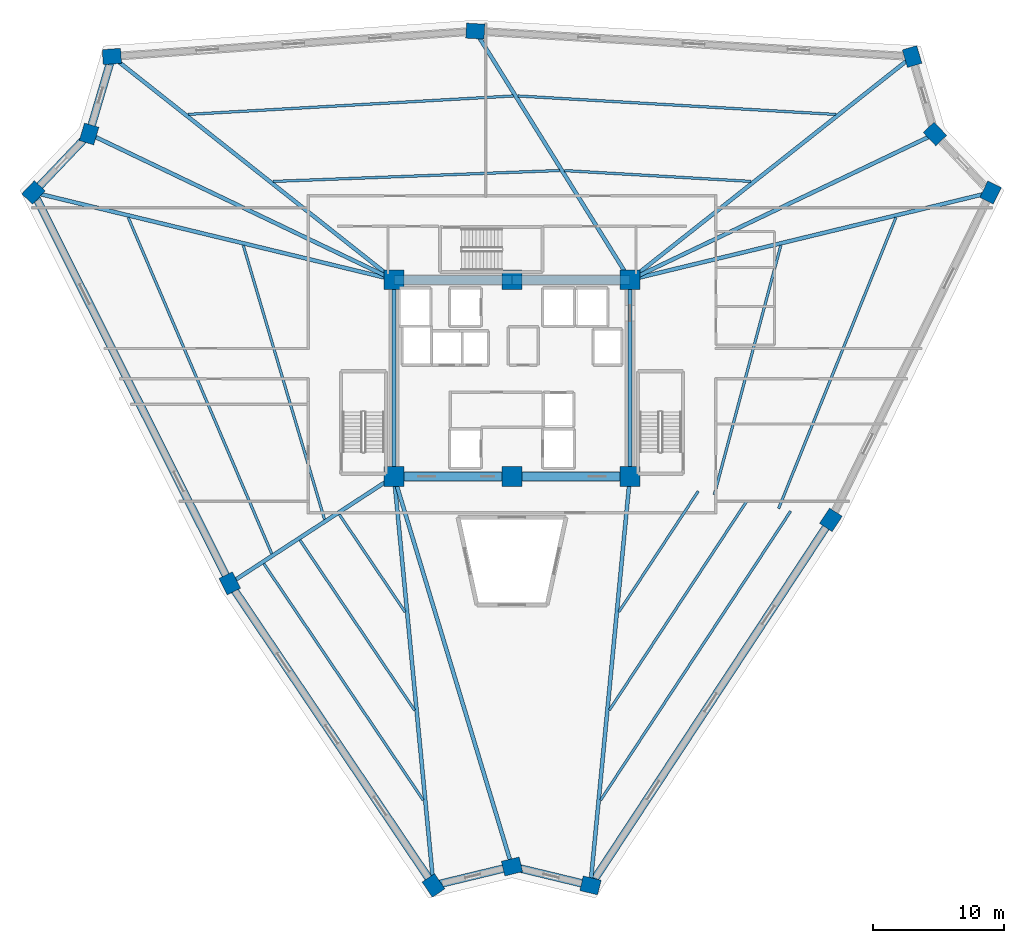
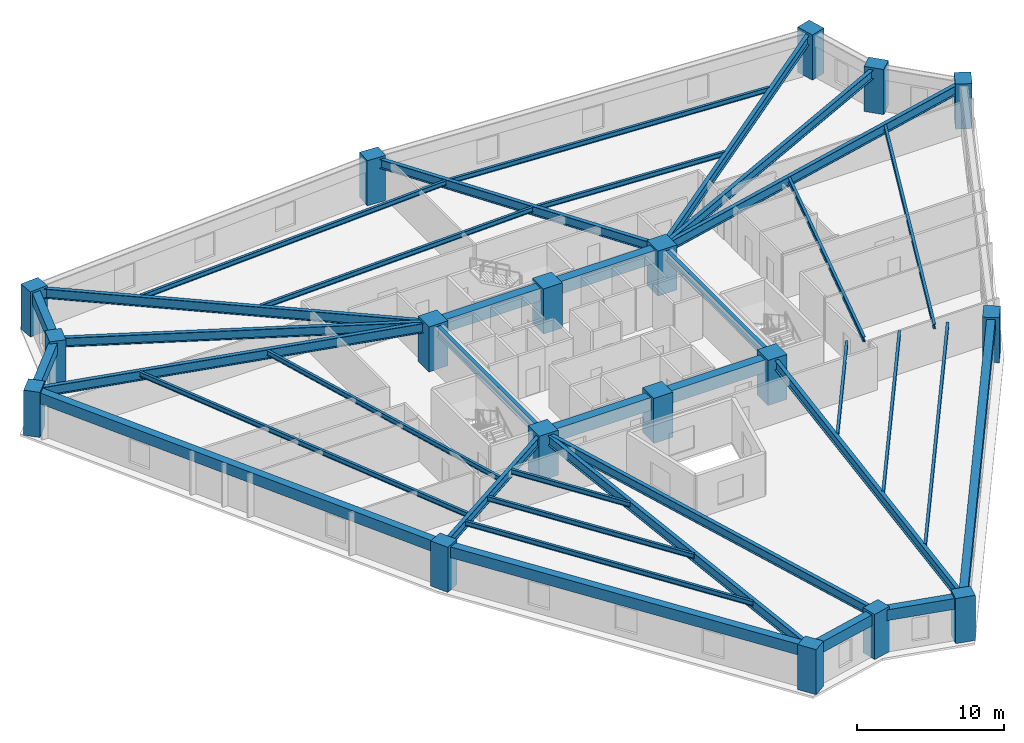
# One storey, part 1 of 7: 38 beams, 18 columns.
"""IFC4 building model written with IfcOpenShell, lengths in metres."""

from ifc_helpers import new_model, si_unit, direction, frame, origin, origin_2d, place, context, subcontext, project, spatial, rectangle, i_section, extrude, source, transform, mapped, material, material_profile, profile_set, type_object, element, save


model = new_model("IFC4")

# Units and contexts
model_context = context("Model", 3, precision=1e-05, world=origin(), true_north=direction((0.0, 1.0)))
body_context = subcontext(model_context, "Body", "Model", "MODEL_VIEW")
ifc_project = project(units=[si_unit("LENGTHUNIT", "METRE"), si_unit("AREAUNIT", "SQUARE_METRE"), si_unit("VOLUMEUNIT", "CUBIC_METRE"), si_unit("PLANEANGLEUNIT", "RADIAN"), si_unit("MASSUNIT", "GRAM", prefix="KILO")], contexts=[model_context])

# Site, building, storey
site_placement = place(None, origin())
site = spatial("IfcSite", under=ifc_project, at=site_placement, CompositionType="ELEMENT")
building_placement = place(site_placement, origin())
building = spatial("IfcBuilding", under=site, at=building_placement, Name="Liaohun Quay Tower", CompositionType="ELEMENT")
storey_placement = place(building_placement, frame((0.0, 0.0, 117.0)))
storey = spatial("IfcBuildingStorey", under=building, at=storey_placement, Name="L30", CompositionType="ELEMENT", Elevation=117.0)

# Columns
ifc_material_1 = material(Name="Concrete C60", Category="concrete")
ifc_material_profile_1 = material_profile(ifc_material_1, rectangle(XDim=1.5, YDim=1.5, at=origin_2d()), Name="RC1500x1500")
ifc_profile_set_1 = profile_set([ifc_material_profile_1], Name="Concrete C60")
column_type_1 = type_object("IfcColumnType", Name="COL-CC-Z2", PredefinedType="COLUMN", material=ifc_profile_set_1)
shared_shape_1 = source(origin(), body_context, "Body", "SweptSolid", [
    extrude(rectangle(XDim=1.5, YDim=1.5, at=origin_2d()), origin(), (0.0, 0.0, 1.0), 3.75),
])
for number, where, z_axis, x_axis, name in (
    (1, (51.0, 46.5, 0.0), (0.0, 0.0, 1.0), (1.0, 0.0, 0.0), "L30 Core Column CC1"),
    (2, (60.0, 46.5, 0.0), (0.0, 0.0, 1.0), (1.0, 0.0, 0.0), "L30 Core Column CC2"),
    (3, (69.0, 46.5, 0.0), (0.0, 0.0, 1.0), (1.0, 0.0, 0.0), "L30 Core Column CC3"),
    (4, (69.0, 61.5, 0.0), (0.0, 0.0, 1.0), (1.0, 0.0, 0.0), "L30 Core Column CC4"),
    (5, (60.0, 61.5, 0.0), (0.0, 0.0, 1.0), (1.0, 0.0, 0.0), "L30 Core Column CC5"),
    (6, (51.0, 61.5, 0.0), (0.0, 0.0, 1.0), (1.0, 0.0, 0.0), "L30 Core Column CC6"),
):
    element("IfcColumn", number, at=place(storey_placement, frame(where, z_axis=z_axis, x_axis=x_axis)), inside=storey, type_object=column_type_1, Name=name, PredefinedType="COLUMN", context=body_context, shape_type="MappedRepresentation", body=[
        mapped(shared_shape_1, transform((0.0, 0.0, 0.0), x_axis=(1.0, 0.0, 0.0), y_axis=(0.0, 1.0, 0.0), z_axis=(0.0, 0.0, 1.0), scale=1.0)),
    ])
ifc_material_profile_2 = material_profile(ifc_material_1, rectangle(XDim=1.39990234375, YDim=1.14990234375, at=origin_2d()), Name="RC1400x1150")
ifc_profile_set_2 = profile_set([ifc_material_profile_2], Name="Concrete C60")
column_type_2 = type_object("IfcColumnType", Name="COL-PIER-Z2", PredefinedType="COLUMN", material=ifc_profile_set_2)
shared_shape_2 = source(origin(), body_context, "Body", "SweptSolid", [
    extrude(rectangle(XDim=1.39990234375, YDim=1.14990234375, at=origin_2d()), origin(), (0.0, 0.0, 1.0), 3.75),
])
for number, where, z_axis, x_axis, name in (
    (7, (54.008056640625, 15.2919921875, 0.0), (0.0, 0.0, 1.0), (-0.559048200602, 0.829135157501, 0.0), "L30 Perimeter Pier PC01"),
    (8, (38.471923828125, 38.3369140625, 0.0), (0.0, 0.0, 1.0), (-0.448851168881, 0.893606528733, 0.0), "L30 Perimeter Pier PC02"),
    (9, (23.487060546875, 68.169921875, 0.0), (0.0, 0.0, 1.0), (0.68936671806, 0.724412539946, 0.0), "L30 Perimeter Pier PC03"),
    (10, (27.73095703125, 72.631103515625, 0.0), (0.0, 0.0, 1.0), (0.282676303383, 0.959215360337, 0.0), "L30 Perimeter Pier PC04"),
    (11, (29.472900390625, 78.54296875, 0.0), (0.0, 0.0, 1.0), (0.997576209867, 0.069582364911, 0.0), "L30 Perimeter Pier PC05"),
    (12, (57.198974609375, 80.47509765625, 0.0), (0.0, 0.0, 1.0), (-0.998311539311, 0.058086749598, 0.0), "L30 Perimeter Pier PC06"),
    (13, (90.529052734375, 78.535888671875, 0.0), (0.0, 0.0, 1.0), (-0.282676303383, 0.959215360337, 0.0), "L30 Perimeter Pier PC07"),
    (14, (92.26904296875, 72.631103515625, 0.0), (0.0, 0.0, 1.0), (-0.68936671806, 0.724412539946, 0.0), "L30 Perimeter Pier PC08"),
    (15, (96.51806640625, 68.1650390625, 0.0), (0.0, 0.0, 1.0), (0.438528009266, 0.898717522412, 0.0), "L30 Perimeter Pier PC09"),
    (16, (84.3291015625, 43.18798828125, 0.0), (0.0, 0.0, 1.0), (0.54946037043, 0.835519779135, 0.0), "L30 Perimeter Pier PC10"),
    (17, (65.985107421875, 15.2939453125, 0.0), (0.0, 0.0, 1.0), (-0.972083987461, 0.234633163303, 0.0), "L30 Perimeter Pier PC11"),
    (18, (60.0, 16.738037109375, 0.0), (0.0, 0.0, 1.0), (0.972083987461, 0.234633163303, 0.0), "L30 Perimeter Pier PC12"),
):
    element("IfcColumn", number, at=place(storey_placement, frame(where, z_axis=z_axis, x_axis=x_axis)), inside=storey, type_object=column_type_2, Name=name, PredefinedType="COLUMN", context=body_context, shape_type="MappedRepresentation", body=[
        mapped(shared_shape_2, transform((0.0, 0.0, 0.0), x_axis=(1.0, 0.0, 0.0), y_axis=(0.0, 1.0, 0.0), z_axis=(0.0, 0.0, 1.0), scale=1.0)),
    ])

# Beams
ifc_material_profile_3 = material_profile(ifc_material_1, rectangle(XDim=0.699951171875, YDim=1.050048828125, at=origin_2d()), Name="RC700x1050")
ifc_profile_set_3 = profile_set([ifc_material_profile_3], Name="Concrete C60")
beam_type_1 = type_object("IfcBeamType", Name="BM-CPL-1", PredefinedType="LINTEL", material=ifc_profile_set_3)
shared_shape_3 = source(origin(), body_context, "Body", "SweptSolid", [
    extrude(rectangle(XDim=0.699951171875, YDim=1.050048828125, at=origin_2d()), origin(), (0.0, 0.0, 1.0), 9.0),
])
for number, where, z_axis, x_axis, name in (
    (19, (51.0, 46.5, 3.044921875), (1.0, 0.0, 0.0), (0.0, 1.0, 0.0), "L30 Core Coupling/Ring Beam CC1-CC2"),
    (20, (60.0, 46.5, 3.044921875), (1.0, 0.0, 0.0), (0.0, 1.0, 0.0), "L30 Core Coupling/Ring Beam CC2-CC3"),
    (21, (69.0, 61.5, 3.044921875), (-1.0, 0.0, 0.0), (0.0, -1.0, 0.0), "L30 Core Coupling/Ring Beam CC4-CC5"),
    (22, (60.0, 61.5, 3.044921875), (-1.0, 0.0, 0.0), (0.0, -1.0, 0.0), "L30 Core Coupling/Ring Beam CC5-CC6"),
):
    element("IfcBeam", number, at=place(storey_placement, frame(where, z_axis=z_axis, x_axis=x_axis)), inside=storey, type_object=beam_type_1, Name=name, PredefinedType="LINTEL", context=body_context, shape_type="MappedRepresentation", body=[
        mapped(shared_shape_3, transform((0.0, 0.0, 0.0), x_axis=(1.0, 0.0, 0.0), y_axis=(0.0, 1.0, 0.0), z_axis=(0.0, 0.0, 1.0), scale=1.0)),
    ])
ifc_material_2 = material(Name="Steel Q355D", Category="steel")
ifc_material_profile_4 = material_profile(ifc_material_2, i_section(OverallWidth=0.300048828125, OverallDepth=0.800048828125, WebThickness=0.013916015625, FlangeThickness=0.02587890625, at=origin_2d()), Name="HN800x300x14x26")
ifc_profile_set_4 = profile_set([ifc_material_profile_4], Name="Steel Q355D")
beam_type_2 = type_object("IfcBeamType", Name="BM-RAD-M1", PredefinedType="BEAM", material=ifc_profile_set_4)
shared_shape_4 = source(origin(), body_context, "Body", "SweptSolid", [
    extrude(i_section(OverallWidth=0.300048828125, OverallDepth=0.800048828125, WebThickness=0.013916015625, FlangeThickness=0.02587890625, at=origin_2d()), origin(), (0.0, 0.0, 1.0), 15.0),
])
for number, where, z_axis, x_axis, name in (
    (23, (69.0, 46.5, 3.169921875), (0.0, 1.0, 0.0), (-1.0, 0.0, 0.0), "L30 Core Coupling/Ring Beam CC3-CC4"),
    (24, (51.0, 61.5, 3.169921875), (0.0, -1.0, 0.0), (1.0, 0.0, 0.0), "L30 Core Coupling/Ring Beam CC6-CC1"),
):
    element("IfcBeam", number, at=place(storey_placement, frame(where, z_axis=z_axis, x_axis=x_axis)), inside=storey, type_object=beam_type_2, Name=name, PredefinedType="BEAM", context=body_context, shape_type="MappedRepresentation", body=[
        mapped(shared_shape_4, transform((0.0, 0.0, 0.0), x_axis=(1.0, 0.0, 0.0), y_axis=(0.0, 1.0, 0.0), z_axis=(0.0, 0.0, 1.0), scale=1.0)),
    ])
shared_shape_5 = source(origin(), body_context, "Body", "SweptSolid", [
    extrude(i_section(OverallWidth=0.300048828125, OverallDepth=0.800048828125, WebThickness=0.013916015625, FlangeThickness=0.02587890625, at=origin_2d()), origin(), (0.0, 0.0, 1.0), 31.3525390625),
])
beam_1_placement = place(storey_placement, frame((51.0, 46.5, 3.169921875), z_axis=(0.095942684726, -0.995386860094, 0.0), x_axis=(0.995386860094, 0.095942684726, 0.0)))
element("IfcBeam", 25, at=beam_1_placement, inside=storey, type_object=beam_type_2, Name="L30 Radial Primary Girder CC1-PC01", PredefinedType="BEAM", context=body_context, shape_type="MappedRepresentation", body=[
    mapped(shared_shape_5, transform((0.0, 0.0, 0.0), x_axis=(1.0, 0.0, 0.0), y_axis=(0.0, 1.0, 0.0), z_axis=(0.0, 0.0, 1.0), scale=1.0)),
])
ifc_material_profile_5 = material_profile(ifc_material_2, i_section(OverallWidth=0.300048828125, OverallDepth=0.75, WebThickness=0.013916015625, FlangeThickness=0.02587890625, at=origin_2d()), Name="HN750x300x14x26")
ifc_profile_set_5 = profile_set([ifc_material_profile_5], Name="Steel Q355D")
beam_type_3 = type_object("IfcBeamType", Name="BM-RAD-M2", PredefinedType="BEAM", material=ifc_profile_set_5)
shared_shape_6 = source(origin(), body_context, "Body", "SweptSolid", [
    extrude(i_section(OverallWidth=0.300048828125, OverallDepth=0.75, WebThickness=0.013916015625, FlangeThickness=0.02587890625, at=origin_2d()), origin(), (0.0, 0.0, 1.0), 14.952880859375),
])
beam_2_placement = place(storey_placement, frame((51.0, 46.5, 3.195068359375), z_axis=(-0.837836920437, -0.545920593817, 0.0), x_axis=(0.545920593817, -0.837836920437, 0.0)))
element("IfcBeam", 26, at=beam_2_placement, inside=storey, type_object=beam_type_3, Name="L30 Radial Primary Girder CC1-PC02", PredefinedType="BEAM", context=body_context, shape_type="MappedRepresentation", body=[
    mapped(shared_shape_6, transform((0.0, 0.0, 0.0), x_axis=(1.0, 0.0, 0.0), y_axis=(0.0, 1.0, 0.0), z_axis=(0.0, 0.0, 1.0), scale=1.0)),
])
shared_shape_7 = source(origin(), body_context, "Body", "SweptSolid", [
    extrude(i_section(OverallWidth=0.300048828125, OverallDepth=0.800048828125, WebThickness=0.013916015625, FlangeThickness=0.02587890625, at=origin_2d()), origin(), (0.0, 0.0, 1.0), 28.309814453125),
])
beam_3_placement = place(storey_placement, frame((51.0, 61.5, 3.169921875), z_axis=(-0.971849148305, 0.235603974796, 0.0), x_axis=(-0.235603974796, -0.971849148305, 0.0)))
element("IfcBeam", 27, at=beam_3_placement, inside=storey, type_object=beam_type_2, Name="L30 Radial Primary Girder CC6-PC03", PredefinedType="BEAM", context=body_context, shape_type="MappedRepresentation", body=[
    mapped(shared_shape_7, transform((0.0, 0.0, 0.0), x_axis=(1.0, 0.0, 0.0), y_axis=(0.0, 1.0, 0.0), z_axis=(0.0, 0.0, 1.0), scale=1.0)),
])
shared_shape_8 = source(origin(), body_context, "Body", "SweptSolid", [
    extrude(i_section(OverallWidth=0.300048828125, OverallDepth=0.75, WebThickness=0.013916015625, FlangeThickness=0.02587890625, at=origin_2d()), origin(), (0.0, 0.0, 1.0), 25.79443359375),
])
for number, where, z_axis, x_axis, name in (
    (28, (51.0, 61.5, 3.195068359375), (-0.902097538332, 0.431532190381, 0.0), (-0.431532190381, -0.902097538332, 0.0), "L30 Radial Primary Girder CC6-PC04"),
    (29, (69.0, 61.5, 3.195068359375), (0.902097538332, 0.431532190381, 0.0), (-0.431532190381, 0.902097538332, 0.0), "L30 Radial Primary Girder CC4-PC08"),
):
    element("IfcBeam", number, at=place(storey_placement, frame(where, z_axis=z_axis, x_axis=x_axis)), inside=storey, type_object=beam_type_3, Name=name, PredefinedType="BEAM", context=body_context, shape_type="MappedRepresentation", body=[
        mapped(shared_shape_8, transform((0.0, 0.0, 0.0), x_axis=(1.0, 0.0, 0.0), y_axis=(0.0, 1.0, 0.0), z_axis=(0.0, 0.0, 1.0), scale=1.0)),
    ])
shared_shape_9 = source(origin(), body_context, "Body", "SweptSolid", [
    extrude(i_section(OverallWidth=0.300048828125, OverallDepth=0.800048828125, WebThickness=0.013916015625, FlangeThickness=0.02587890625, at=origin_2d()), origin(), (0.0, 0.0, 1.0), 27.456787109375),
])
beam_4_placement = place(storey_placement, frame((51.0, 61.5, 3.169921875), z_axis=(-0.784033744003, 0.620718203588, 0.0), x_axis=(-0.620718203588, -0.784033744003, 0.0)))
element("IfcBeam", 30, at=beam_4_placement, inside=storey, type_object=beam_type_2, Name="L30 Radial Primary Girder CC6-PC05", PredefinedType="BEAM", context=body_context, shape_type="MappedRepresentation", body=[
    mapped(shared_shape_9, transform((0.0, 0.0, 0.0), x_axis=(1.0, 0.0, 0.0), y_axis=(0.0, 1.0, 0.0), z_axis=(0.0, 0.0, 1.0), scale=1.0)),
])
shared_shape_10 = source(origin(), body_context, "Body", "SweptSolid", [
    extrude(i_section(OverallWidth=0.300048828125, OverallDepth=0.75, WebThickness=0.013916015625, FlangeThickness=0.02587890625, at=origin_2d()), origin(), (0.0, 0.0, 1.0), 22.345458984375),
])
beam_5_placement = place(storey_placement, frame((69.0, 61.5, 3.195068359375), z_axis=(-0.528117918078, 0.849171045553, 0.0), x_axis=(-0.849171045553, -0.528117918078, 0.0)))
element("IfcBeam", 31, at=beam_5_placement, inside=storey, type_object=beam_type_3, Name="L30 Radial Primary Girder CC4-PC06", PredefinedType="BEAM", context=body_context, shape_type="MappedRepresentation", body=[
    mapped(shared_shape_10, transform((0.0, 0.0, 0.0), x_axis=(1.0, 0.0, 0.0), y_axis=(0.0, 1.0, 0.0), z_axis=(0.0, 0.0, 1.0), scale=1.0)),
])
shared_shape_11 = source(origin(), body_context, "Body", "SweptSolid", [
    extrude(i_section(OverallWidth=0.300048828125, OverallDepth=0.800048828125, WebThickness=0.013916015625, FlangeThickness=0.02587890625, at=origin_2d()), origin(), (0.0, 0.0, 1.0), 27.4541015625),
])
beam_6_placement = place(storey_placement, frame((69.0, 61.5, 3.169921875), z_axis=(0.784186635718, 0.620525036047, 0.0), x_axis=(-0.620525036047, 0.784186635718, 0.0)))
element("IfcBeam", 32, at=beam_6_placement, inside=storey, type_object=beam_type_2, Name="L30 Radial Primary Girder CC4-PC07", PredefinedType="BEAM", context=body_context, shape_type="MappedRepresentation", body=[
    mapped(shared_shape_11, transform((0.0, 0.0, 0.0), x_axis=(1.0, 0.0, 0.0), y_axis=(0.0, 1.0, 0.0), z_axis=(0.0, 0.0, 1.0), scale=1.0)),
])
shared_shape_12 = source(origin(), body_context, "Body", "SweptSolid", [
    extrude(i_section(OverallWidth=0.300048828125, OverallDepth=0.800048828125, WebThickness=0.013916015625, FlangeThickness=0.02587890625, at=origin_2d()), origin(), (0.0, 0.0, 1.0), 28.313720703125),
])
beam_7_placement = place(storey_placement, frame((69.0, 61.5, 3.169921875), z_axis=(0.971898665288, 0.235399627042, 0.0), x_axis=(-0.235399627042, 0.971898665288, 0.0)))
element("IfcBeam", 33, at=beam_7_placement, inside=storey, type_object=beam_type_2, Name="L30 Radial Primary Girder CC4-PC09", PredefinedType="BEAM", context=body_context, shape_type="MappedRepresentation", body=[
    mapped(shared_shape_12, transform((0.0, 0.0, 0.0), x_axis=(1.0, 0.0, 0.0), y_axis=(0.0, 1.0, 0.0), z_axis=(0.0, 0.0, 1.0), scale=1.0)),
])
shared_shape_13 = source(origin(), body_context, "Body", "SweptSolid", [
    extrude(i_section(OverallWidth=0.300048828125, OverallDepth=0.800048828125, WebThickness=0.013916015625, FlangeThickness=0.02587890625, at=origin_2d()), origin(), (0.0, 0.0, 1.0), 31.351318359375),
])
beam_8_placement = place(storey_placement, frame((69.0, 46.5, 3.169921875), z_axis=(-0.096164667529, -0.995365438781, 0.0), x_axis=(0.995365438781, -0.096164667529, 0.0)))
element("IfcBeam", 34, at=beam_8_placement, inside=storey, type_object=beam_type_2, Name="L30 Radial Primary Girder CC3-PC11", PredefinedType="BEAM", context=body_context, shape_type="MappedRepresentation", body=[
    mapped(shared_shape_13, transform((0.0, 0.0, 0.0), x_axis=(1.0, 0.0, 0.0), y_axis=(0.0, 1.0, 0.0), z_axis=(0.0, 0.0, 1.0), scale=1.0)),
])
shared_shape_14 = source(origin(), body_context, "Body", "SweptSolid", [
    extrude(i_section(OverallWidth=0.300048828125, OverallDepth=0.75, WebThickness=0.013916015625, FlangeThickness=0.02587890625, at=origin_2d()), origin(), (0.0, 0.0, 1.0), 31.093017578125),
])
beam_9_placement = place(storey_placement, frame((51.0, 46.5, 3.195068359375), z_axis=(0.289454250012, -0.957191849709, 0.0), x_axis=(0.957191849709, 0.289454250012, 0.0)))
element("IfcBeam", 35, at=beam_9_placement, inside=storey, type_object=beam_type_3, Name="L30 Radial Primary Girder CC1-PC12", PredefinedType="BEAM", context=body_context, shape_type="MappedRepresentation", body=[
    mapped(shared_shape_14, transform((0.0, 0.0, 0.0), x_axis=(1.0, 0.0, 0.0), y_axis=(0.0, 1.0, 0.0), z_axis=(0.0, 0.0, 1.0), scale=1.0)),
])
ifc_material_profile_6 = material_profile(ifc_material_2, i_section(OverallWidth=0.199951171875, OverallDepth=0.39990234375, WebThickness=0.008056640625, FlangeThickness=0.012939453125, at=origin_2d()), Name="HN400x200x8x13")
ifc_profile_set_6 = profile_set([ifc_material_profile_6], Name="Steel Q355D")
beam_type_4 = type_object("IfcBeamType", Name="BM-SEC-J2", PredefinedType="JOIST", material=ifc_profile_set_6)
shared_shape_15 = source(origin(), body_context, "Body", "SweptSolid", [
    extrude(i_section(OverallWidth=0.199951171875, OverallDepth=0.39990234375, WebThickness=0.008056640625, FlangeThickness=0.012939453125, at=origin_2d()), origin(), (0.0, 0.0, 1.0), 8.9853515625),
])
beam_10_placement = place(storey_placement, frame((51.846923828125, 36.14990234375, 3.3701171875), z_axis=(-0.559019179897, 0.829154724106, 0.0), x_axis=(-0.829154724106, -0.559019179897, 0.0)))
element("IfcBeam", 36, at=beam_10_placement, inside=storey, type_object=beam_type_4, Name="L30 Wing Secondary Floor Joist SJ-01", PredefinedType="JOIST", context=body_context, shape_type="MappedRepresentation", body=[
    mapped(shared_shape_15, transform((0.0, 0.0, 0.0), x_axis=(1.0, 0.0, 0.0), y_axis=(0.0, 1.0, 0.0), z_axis=(0.0, 0.0, 1.0), scale=1.0)),
])
shared_shape_16 = source(origin(), body_context, "Body", "SweptSolid", [
    extrude(i_section(OverallWidth=0.199951171875, OverallDepth=0.39990234375, WebThickness=0.008056640625, FlangeThickness=0.012939453125, at=origin_2d()), origin(), (0.0, 0.0, 1.0), 15.6552734375),
])
beam_11_placement = place(storey_placement, frame((52.569091796875, 28.659912109375, 3.3701171875), z_axis=(-0.558975385376, 0.829184248852, 0.0), x_axis=(-0.829184248852, -0.558975385376, 0.0)))
element("IfcBeam", 37, at=beam_11_placement, inside=storey, type_object=beam_type_4, Name="L30 Wing Secondary Floor Joist SJ-02", PredefinedType="JOIST", context=body_context, shape_type="MappedRepresentation", body=[
    mapped(shared_shape_16, transform((0.0, 0.0, 0.0), x_axis=(1.0, 0.0, 0.0), y_axis=(0.0, 1.0, 0.0), z_axis=(0.0, 0.0, 1.0), scale=1.0)),
])
shared_shape_17 = source(origin(), body_context, "Body", "SweptSolid", [
    extrude(i_section(OverallWidth=0.199951171875, OverallDepth=0.39990234375, WebThickness=0.008056640625, FlangeThickness=0.012939453125, at=origin_2d()), origin(), (0.0, 0.0, 1.0), 21.770263671875),
])
beam_12_placement = place(storey_placement, frame((53.23095703125, 21.7939453125, 3.3701171875), z_axis=(-0.559014563977, 0.829157836158, 0.0), x_axis=(-0.829157836158, -0.559014563977, 0.0)))
element("IfcBeam", 38, at=beam_12_placement, inside=storey, type_object=beam_type_4, Name="L30 Wing Secondary Floor Joist SJ-03", PredefinedType="JOIST", context=body_context, shape_type="MappedRepresentation", body=[
    mapped(shared_shape_17, transform((0.0, 0.0, 0.0), x_axis=(1.0, 0.0, 0.0), y_axis=(0.0, 1.0, 0.0), z_axis=(0.0, 0.0, 1.0), scale=1.0)),
])
shared_shape_18 = source(origin(), body_context, "Body", "SweptSolid", [
    extrude(i_section(OverallWidth=0.199951171875, OverallDepth=0.39990234375, WebThickness=0.008056640625, FlangeThickness=0.012939453125, at=origin_2d()), origin(), (0.0, 0.0, 1.0), 21.812744140625),
])
beam_13_placement = place(storey_placement, frame((45.694091796875, 43.221923828125, 3.3701171875), z_axis=(-0.284245331726, 0.958751579604, 0.0), x_axis=(-0.958751579604, -0.284245331726, 0.0)))
element("IfcBeam", 39, at=beam_13_placement, inside=storey, type_object=beam_type_4, Name="L30 Wing Secondary Floor Joist SJ-04", PredefinedType="JOIST", context=body_context, shape_type="MappedRepresentation", body=[
    mapped(shared_shape_18, transform((0.0, 0.0, 0.0), x_axis=(1.0, 0.0, 0.0), y_axis=(0.0, 1.0, 0.0), z_axis=(0.0, 0.0, 1.0), scale=1.0)),
])
shared_shape_19 = source(origin(), body_context, "Body", "SweptSolid", [
    extrude(i_section(OverallWidth=0.199951171875, OverallDepth=0.39990234375, WebThickness=0.008056640625, FlangeThickness=0.012939453125, at=origin_2d()), origin(), (0.0, 0.0, 1.0), 27.905029296875),
])
beam_14_placement = place(storey_placement, frame((41.6689453125, 40.59912109375, 3.3701171875), z_axis=(-0.392575757789, 0.919719671637, 0.0), x_axis=(-0.919719671637, -0.392575757789, 0.0)))
element("IfcBeam", 40, at=beam_14_placement, inside=storey, type_object=beam_type_4, Name="L30 Wing Secondary Floor Joist SJ-05", PredefinedType="JOIST", context=body_context, shape_type="MappedRepresentation", body=[
    mapped(shared_shape_19, transform((0.0, 0.0, 0.0), x_axis=(1.0, 0.0, 0.0), y_axis=(0.0, 1.0, 0.0), z_axis=(0.0, 0.0, 1.0), scale=1.0)),
])
shared_shape_20 = source(origin(), body_context, "Body", "SweptSolid", [
    extrude(i_section(OverallWidth=0.199951171875, OverallDepth=0.39990234375, WebThickness=0.008056640625, FlangeThickness=0.012939453125, at=origin_2d()), origin(), (0.0, 0.0, 1.0), 21.891845703125),
])
beam_15_placement = place(storey_placement, frame((41.759033203125, 69.008056640625, 3.3701171875), z_axis=(0.999274098238, 0.038095624298, 0.0), x_axis=(-0.038095624298, 0.999274098238, 0.0)))
element("IfcBeam", 41, at=beam_15_placement, inside=storey, type_object=beam_type_4, Name="L30 Wing Secondary Floor Joist SJ-06", PredefinedType="JOIST", context=body_context, shape_type="MappedRepresentation", body=[
    mapped(shared_shape_20, transform((0.0, 0.0, 0.0), x_axis=(1.0, 0.0, 0.0), y_axis=(0.0, 1.0, 0.0), z_axis=(0.0, 0.0, 1.0), scale=1.0)),
])
shared_shape_21 = source(origin(), body_context, "Body", "SweptSolid", [
    extrude(i_section(OverallWidth=0.199951171875, OverallDepth=0.39990234375, WebThickness=0.008056640625, FlangeThickness=0.012939453125, at=origin_2d()), origin(), (0.0, 0.0, 1.0), 24.8408203125),
])
beam_16_placement = place(storey_placement, frame((35.2958984375, 74.125, 3.3701171875), z_axis=(0.99839468109, 0.056639745505, 0.0), x_axis=(-0.056639745505, 0.99839468109, 0.0)))
element("IfcBeam", 42, at=beam_16_placement, inside=storey, type_object=beam_type_4, Name="L30 Wing Secondary Floor Joist SJ-07", PredefinedType="JOIST", context=body_context, shape_type="MappedRepresentation", body=[
    mapped(shared_shape_21, transform((0.0, 0.0, 0.0), x_axis=(1.0, 0.0, 0.0), y_axis=(0.0, 1.0, 0.0), z_axis=(0.0, 0.0, 1.0), scale=1.0)),
])
shared_shape_22 = source(origin(), body_context, "Body", "SweptSolid", [
    extrude(i_section(OverallWidth=0.199951171875, OverallDepth=0.39990234375, WebThickness=0.008056640625, FlangeThickness=0.012939453125, at=origin_2d()), origin(), (0.0, 0.0, 1.0), 14.28125),
])
beam_17_placement = place(storey_placement, frame((63.990966796875, 69.837890625, 3.3701171875), z_axis=(0.998314342648, -0.058038549811, 0.0), x_axis=(0.058038549811, 0.998314342648, 0.0)))
element("IfcBeam", 43, at=beam_17_placement, inside=storey, type_object=beam_type_4, Name="L30 Wing Secondary Floor Joist SJ-08", PredefinedType="JOIST", context=body_context, shape_type="MappedRepresentation", body=[
    mapped(shared_shape_22, transform((0.0, 0.0, 0.0), x_axis=(1.0, 0.0, 0.0), y_axis=(0.0, 1.0, 0.0), z_axis=(0.0, 0.0, 1.0), scale=1.0)),
])
shared_shape_23 = source(origin(), body_context, "Body", "SweptSolid", [
    extrude(i_section(OverallWidth=0.199951171875, OverallDepth=0.39990234375, WebThickness=0.008056640625, FlangeThickness=0.012939453125, at=origin_2d()), origin(), (0.0, 0.0, 1.0), 24.296142578125),
])
beam_18_placement = place(storey_placement, frame((60.450927734375, 75.531005859375, 3.3701171875), z_axis=(0.998312483643, -0.058070517499, 0.0), x_axis=(0.058070517499, 0.998312483643, 0.0)))
element("IfcBeam", 44, at=beam_18_placement, inside=storey, type_object=beam_type_4, Name="L30 Wing Secondary Floor Joist SJ-09", PredefinedType="JOIST", context=body_context, shape_type="MappedRepresentation", body=[
    mapped(shared_shape_23, transform((0.0, 0.0, 0.0), x_axis=(1.0, 0.0, 0.0), y_axis=(0.0, 1.0, 0.0), z_axis=(0.0, 0.0, 1.0), scale=1.0)),
])
shared_shape_24 = source(origin(), body_context, "Body", "SweptSolid", [
    extrude(i_section(OverallWidth=0.199951171875, OverallDepth=0.39990234375, WebThickness=0.008056640625, FlangeThickness=0.012939453125, at=origin_2d()), origin(), (0.0, 0.0, 1.0), 19.690673828125),
])
beam_19_placement = place(storey_placement, frame((80.513916015625, 64.134033203125, 3.3701171875), z_axis=(-0.2577838071, -0.966202623054, 0.0), x_axis=(0.966202623054, -0.2577838071, 0.0)))
element("IfcBeam", 45, at=beam_19_placement, inside=storey, type_object=beam_type_4, Name="L30 Wing Secondary Floor Joist SJ-10", PredefinedType="JOIST", context=body_context, shape_type="MappedRepresentation", body=[
    mapped(shared_shape_24, transform((0.0, 0.0, 0.0), x_axis=(1.0, 0.0, 0.0), y_axis=(0.0, 1.0, 0.0), z_axis=(0.0, 0.0, 1.0), scale=1.0)),
])
shared_shape_25 = source(origin(), body_context, "Body", "SweptSolid", [
    extrude(i_section(OverallWidth=0.199951171875, OverallDepth=0.39990234375, WebThickness=0.008056640625, FlangeThickness=0.012939453125, at=origin_2d()), origin(), (0.0, 0.0, 1.0), 23.947509765625),
])
beam_20_placement = place(storey_placement, frame((89.2939453125, 66.260986328125, 3.3701171875), z_axis=(-0.373771165641, -0.927520951642, 0.0), x_axis=(0.927520951642, -0.373771165641, 0.0)))
element("IfcBeam", 46, at=beam_20_placement, inside=storey, type_object=beam_type_4, Name="L30 Wing Secondary Floor Joist SJ-11", PredefinedType="JOIST", context=body_context, shape_type="MappedRepresentation", body=[
    mapped(shared_shape_25, transform((0.0, 0.0, 0.0), x_axis=(1.0, 0.0, 0.0), y_axis=(0.0, 1.0, 0.0), z_axis=(0.0, 0.0, 1.0), scale=1.0)),
])
shared_shape_26 = source(origin(), body_context, "Body", "SweptSolid", [
    extrude(i_section(OverallWidth=0.199951171875, OverallDepth=0.39990234375, WebThickness=0.008056640625, FlangeThickness=0.012939453125, at=origin_2d()), origin(), (0.0, 0.0, 1.0), 11.029052734375),
])
beam_21_placement = place(storey_placement, frame((74.2119140625, 45.3740234375, 3.3701171875), z_axis=(-0.549442887794, -0.835531275927, 0.0), x_axis=(0.835531275927, -0.549442887794, 0.0)))
element("IfcBeam", 47, at=beam_21_placement, inside=storey, type_object=beam_type_4, Name="L30 Wing Secondary Floor Joist SJ-12", PredefinedType="JOIST", context=body_context, shape_type="MappedRepresentation", body=[
    mapped(shared_shape_26, transform((0.0, 0.0, 0.0), x_axis=(1.0, 0.0, 0.0), y_axis=(0.0, 1.0, 0.0), z_axis=(0.0, 0.0, 1.0), scale=1.0)),
])
shared_shape_27 = source(origin(), body_context, "Body", "SweptSolid", [
    extrude(i_section(OverallWidth=0.199951171875, OverallDepth=0.39990234375, WebThickness=0.008056640625, FlangeThickness=0.012939453125, at=origin_2d()), origin(), (0.0, 0.0, 1.0), 19.042236328125),
])
beam_22_placement = place(storey_placement, frame((77.89111328125, 44.5791015625, 3.3701171875), z_axis=(-0.549467202132, -0.835515286384, 0.0), x_axis=(0.835515286384, -0.549467202132, 0.0)))
element("IfcBeam", 48, at=beam_22_placement, inside=storey, type_object=beam_type_4, Name="L30 Wing Secondary Floor Joist SJ-13", PredefinedType="JOIST", context=body_context, shape_type="MappedRepresentation", body=[
    mapped(shared_shape_27, transform((0.0, 0.0, 0.0), x_axis=(1.0, 0.0, 0.0), y_axis=(0.0, 1.0, 0.0), z_axis=(0.0, 0.0, 1.0), scale=1.0)),
])
shared_shape_28 = source(origin(), body_context, "Body", "SweptSolid", [
    extrude(i_section(OverallWidth=0.199951171875, OverallDepth=0.39990234375, WebThickness=0.008056640625, FlangeThickness=0.012939453125, at=origin_2d()), origin(), (0.0, 0.0, 1.0), 26.385986328125),
])
beam_23_placement = place(storey_placement, frame((81.262939453125, 43.85009765625, 3.3701171875), z_axis=(-0.549457940297, -0.835521377252, 0.0), x_axis=(0.835521377252, -0.549457940297, 0.0)))
element("IfcBeam", 49, at=beam_23_placement, inside=storey, type_object=beam_type_4, Name="L30 Wing Secondary Floor Joist SJ-14", PredefinedType="JOIST", context=body_context, shape_type="MappedRepresentation", body=[
    mapped(shared_shape_28, transform((0.0, 0.0, 0.0), x_axis=(1.0, 0.0, 0.0), y_axis=(0.0, 1.0, 0.0), z_axis=(0.0, 0.0, 1.0), scale=1.0)),
])
ifc_material_3 = material(Name="Precast concrete C55", Category="concrete")
ifc_material_profile_7 = material_profile(ifc_material_3, rectangle(XDim=0.60009765625, YDim=0.89990234375, at=origin_2d()), Name="RC600x900")
ifc_profile_set_7 = profile_set([ifc_material_profile_7], Name="Precast concrete C55")
beam_type_5 = type_object("IfcBeamType", Name="BM-SPD-Z2", PredefinedType="SPANDREL", material=ifc_profile_set_7)
shared_shape_29 = source(origin(), body_context, "Body", "SweptSolid", [
    extrude(rectangle(XDim=0.60009765625, YDim=0.89990234375, at=origin_2d()), origin(), (0.0, 0.0, 1.0), 27.792724609375),
])
beam_24_placement = place(storey_placement, frame((54.008056640625, 15.2919921875, 3.1201171875), z_axis=(-0.558998433208, 0.829168711223, 0.0), x_axis=(-0.829168711223, -0.558998433208, 0.0)))
element("IfcBeam", 50, at=beam_24_placement, inside=storey, type_object=beam_type_5, Name="L30 Precast Spandrel Beam PC01-PC02", PredefinedType="SPANDREL", context=body_context, shape_type="MappedRepresentation", body=[
    mapped(shared_shape_29, transform((0.0, 0.0, 0.0), x_axis=(1.0, 0.0, 0.0), y_axis=(0.0, 1.0, 0.0), z_axis=(0.0, 0.0, 1.0), scale=1.0)),
])
shared_shape_30 = source(origin(), body_context, "Body", "SweptSolid", [
    extrude(rectangle(XDim=0.60009765625, YDim=0.89990234375, at=origin_2d()), origin(), (0.0, 0.0, 1.0), 33.385009765625),
])
beam_25_placement = place(storey_placement, frame((38.471923828125, 38.3369140625, 3.1201171875), z_axis=(-0.448850934201, 0.893606646611, 0.0), x_axis=(-0.893606646611, -0.448850934201, 0.0)))
element("IfcBeam", 51, at=beam_25_placement, inside=storey, type_object=beam_type_5, Name="L30 Precast Spandrel Beam PC02-PC03", PredefinedType="SPANDREL", context=body_context, shape_type="MappedRepresentation", body=[
    mapped(shared_shape_30, transform((0.0, 0.0, 0.0), x_axis=(1.0, 0.0, 0.0), y_axis=(0.0, 1.0, 0.0), z_axis=(0.0, 0.0, 1.0), scale=1.0)),
])
shared_shape_31 = source(origin(), body_context, "Body", "SweptSolid", [
    extrude(rectangle(XDim=0.60009765625, YDim=0.89990234375, at=origin_2d()), origin(), (0.0, 0.0, 1.0), 6.1572265625),
])
beam_26_placement = place(storey_placement, frame((23.487060546875, 68.169921875, 3.1201171875), z_axis=(0.68924219683, 0.724531016664, 0.0), x_axis=(-0.724531016664, 0.68924219683, 0.0)))
element("IfcBeam", 52, at=beam_26_placement, inside=storey, type_object=beam_type_5, Name="L30 Precast Spandrel Beam PC03-PC04", PredefinedType="SPANDREL", context=body_context, shape_type="MappedRepresentation", body=[
    mapped(shared_shape_31, transform((0.0, 0.0, 0.0), x_axis=(1.0, 0.0, 0.0), y_axis=(0.0, 1.0, 0.0), z_axis=(0.0, 0.0, 1.0), scale=1.0)),
])
shared_shape_32 = source(origin(), body_context, "Body", "SweptSolid", [
    extrude(rectangle(XDim=0.60009765625, YDim=0.89990234375, at=origin_2d()), origin(), (0.0, 0.0, 1.0), 6.1630859375),
])
beam_27_placement = place(storey_placement, frame((27.73095703125, 72.631103515625, 3.1201171875), z_axis=(0.282638112425, 0.959226614208, 0.0), x_axis=(-0.959226614208, 0.282638112425, 0.0)))
element("IfcBeam", 53, at=beam_27_placement, inside=storey, type_object=beam_type_5, Name="L30 Precast Spandrel Beam PC04-PC05", PredefinedType="SPANDREL", context=body_context, shape_type="MappedRepresentation", body=[
    mapped(shared_shape_32, transform((0.0, 0.0, 0.0), x_axis=(1.0, 0.0, 0.0), y_axis=(0.0, 1.0, 0.0), z_axis=(0.0, 0.0, 1.0), scale=1.0)),
])
shared_shape_33 = source(origin(), body_context, "Body", "SweptSolid", [
    extrude(rectangle(XDim=0.60009765625, YDim=0.89990234375, at=origin_2d()), origin(), (0.0, 0.0, 1.0), 33.38525390625),
])
beam_28_placement = place(storey_placement, frame((84.3291015625, 43.18798828125, 3.1201171875), z_axis=(-0.549462841811, -0.835518153883, 0.0), x_axis=(0.835518153883, -0.549462841811, 0.0)))
element("IfcBeam", 54, at=beam_28_placement, inside=storey, type_object=beam_type_5, Name="L30 Precast Spandrel Beam PC10-PC11", PredefinedType="SPANDREL", context=body_context, shape_type="MappedRepresentation", body=[
    mapped(shared_shape_33, transform((0.0, 0.0, 0.0), x_axis=(1.0, 0.0, 0.0), y_axis=(0.0, 1.0, 0.0), z_axis=(0.0, 0.0, 1.0), scale=1.0)),
])
shared_shape_34 = source(origin(), body_context, "Body", "SweptSolid", [
    extrude(rectangle(XDim=0.60009765625, YDim=0.89990234375, at=origin_2d()), origin(), (0.0, 0.0, 1.0), 6.15673828125),
])
beam_29_placement = place(storey_placement, frame((65.985107421875, 15.2939453125, 3.1201171875), z_axis=(-0.972104036034, 0.234550086606, 0.0), x_axis=(-0.234550086606, -0.972104036034, 0.0)))
element("IfcBeam", 55, at=beam_29_placement, inside=storey, type_object=beam_type_5, Name="L30 Precast Spandrel Beam PC11-PC12", PredefinedType="SPANDREL", context=body_context, shape_type="MappedRepresentation", body=[
    mapped(shared_shape_34, transform((0.0, 0.0, 0.0), x_axis=(1.0, 0.0, 0.0), y_axis=(0.0, 1.0, 0.0), z_axis=(0.0, 0.0, 1.0), scale=1.0)),
])
shared_shape_35 = source(origin(), body_context, "Body", "SweptSolid", [
    extrude(rectangle(XDim=0.60009765625, YDim=0.89990234375, at=origin_2d()), origin(), (0.0, 0.0, 1.0), 6.1640625),
])
beam_30_placement = place(storey_placement, frame((60.0, 16.738037109375, 3.1201171875), z_axis=(-0.972092799316, -0.234596652828, 0.0), x_axis=(0.234596652828, -0.972092799316, 0.0)))
element("IfcBeam", 56, at=beam_30_placement, inside=storey, type_object=beam_type_5, Name="L30 Precast Spandrel Beam PC12-PC01", PredefinedType="SPANDREL", context=body_context, shape_type="MappedRepresentation", body=[
    mapped(shared_shape_35, transform((0.0, 0.0, 0.0), x_axis=(1.0, 0.0, 0.0), y_axis=(0.0, 1.0, 0.0), z_axis=(0.0, 0.0, 1.0), scale=1.0)),
])

save(model, "model.ifc")
